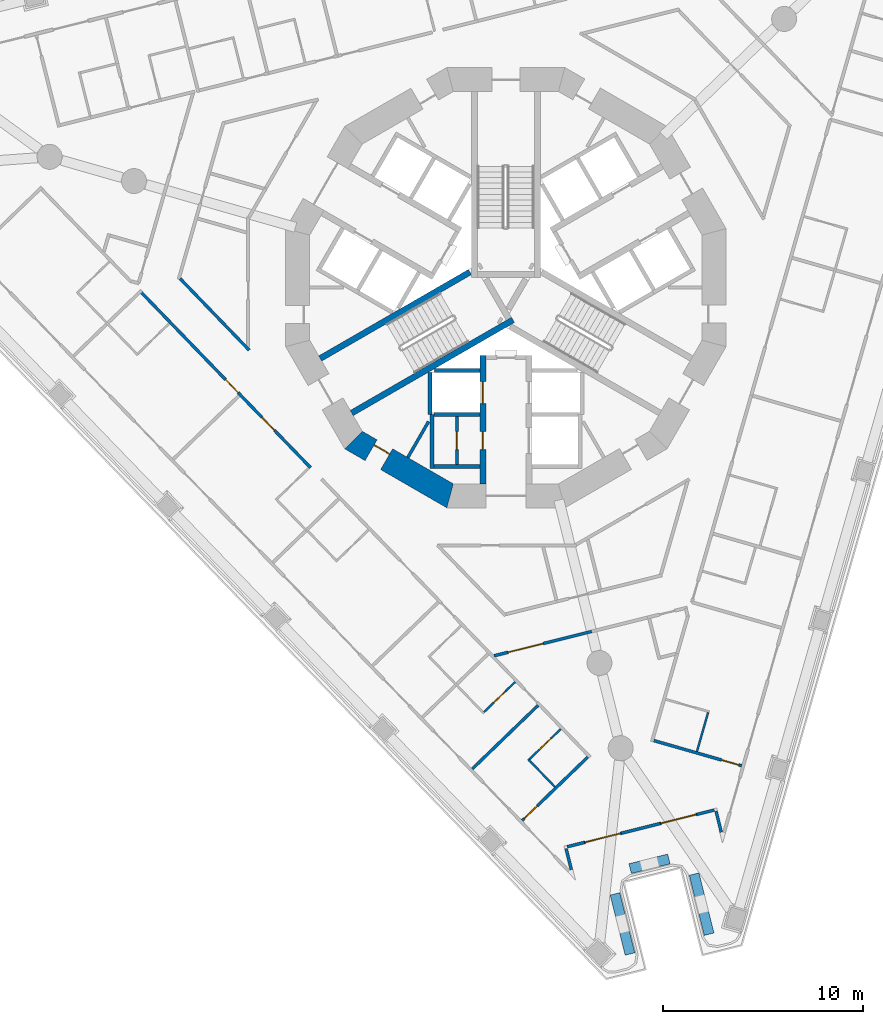
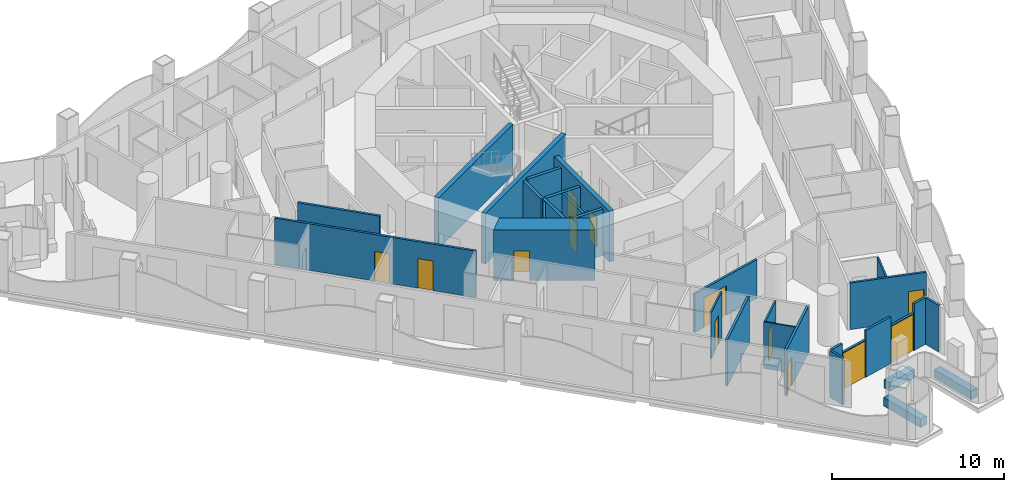
# One storey, part 3 of 18: 31 walls, 13 doors, 13 openings.
"""IFC4 building model written with IfcOpenShell, lengths in metres."""

from ifc_helpers import new_model, si_unit, direction, frame, frame_2d, origin, place, context, subcontext, project, spatial, polyline, rectangle, outline, extrude, material, layer, layer_set, type_object, element, fill, save


model = new_model("IFC4")

# Units and contexts
model_context = context("Model", 3, precision=1e-05, world=origin(), true_north=direction((0.0, 1.0)))
body_context = subcontext(model_context, "Body", "Model", "MODEL_VIEW")
ifc_project = project(units=[si_unit("LENGTHUNIT", "METRE"), si_unit("AREAUNIT", "SQUARE_METRE"), si_unit("VOLUMEUNIT", "CUBIC_METRE"), si_unit("PLANEANGLEUNIT", "RADIAN"), si_unit("MASSUNIT", "GRAM", prefix="KILO")], contexts=[model_context])

# Site, building, storey
site_placement = place(None, origin())
site = spatial("IfcSite", under=ifc_project, at=site_placement, CompositionType="ELEMENT")
building_placement = place(site_placement, origin())
building = spatial("IfcBuilding", under=site, at=building_placement, Name="Trine Commons Tower", CompositionType="ELEMENT")
storey_placement = place(building_placement, frame((0.0, 0.0, 94.5)))
storey = spatial("IfcBuildingStorey", under=building, at=storey_placement, Name="L23", CompositionType="ELEMENT", Elevation=94.5)

# Wall
ifc_material_1 = material(Name="Plasterboard partition on steel studs", Category="steel")
ifc_layer_1 = layer(ifc_material_1, 0.14990234375)
ifc_layer_set_1 = layer_set([ifc_layer_1], Name="Plasterboard partition on steel studs")
wall_type_1 = type_object("IfcWallType", Name="Core room partition 150 mm, EI 60", PredefinedType="PARTITIONING", material=ifc_layer_set_1)
wall_1_placement = place(storey_placement, frame((75.094970703125, 54.0029296875, 0.0), z_axis=(0.0, 0.0, 1.0), x_axis=(0.5000780968, 0.865980309881, 0.0)))
element("IfcWall", 1, at=wall_1_placement, inside=storey, type_object=wall_type_1, Name="Core room partition L23", PredefinedType="PARTITIONING", context=body_context, shape_type="SweptSolid", body=[
    extrude(rectangle(XDim=2.079833984375, YDim=0.14990234375, at=frame_2d((1.0400390625, 0.0))), origin(), (0.0, 0.0, 1.0), 3.300048828125),
])

# Wall, opening, door
wall_2_placement = place(storey_placement, frame((77.550048828125, 56.050048828125, 0.0), z_axis=(0.0, 0.0, 1.0), x_axis=(0.0, -1.0, 0.0)))
wall_2 = element("IfcWall", 2, at=wall_2_placement, inside=storey, type_object=wall_type_1, Name="Core room partition L23", PredefinedType="PARTITIONING", context=body_context, shape_type="SweptSolid", body=[
    extrude(rectangle(XDim=2.400146484375, YDim=0.14990234375, at=frame_2d((1.2001953125, 0.0))), origin(), (0.0, 0.0, 1.0), 3.300048828125),
])
opening_1_placement = place(wall_2_placement, frame((0.75, 0.0, 0.0)))
opening_1 = element("IfcOpeningElement", 3, at=opening_1_placement, cuts=wall_2, Name="Opening K06.11", PredefinedType="OPENING", context=body_context, shape_type="SweptSolid", body=[
    extrude(rectangle(XDim=0.89990234375, YDim=2.10009765625, at=frame_2d((0.449951171875, 1.050048828125))), frame((0.0, 0.0849609375, 0.0), z_axis=(0.0, -1.0, 0.0), x_axis=(1.0, 0.0, 0.0)), (0.0, 0.0, 1.0), 0.169921875),
])
ifc_material_2 = material(Name="Steel door leaf, fire-rated", Category="steel")
door_type_1 = type_object("IfcDoorType", Name="Core room door, single leaf 900 x 2100, FD30S", OperationType="SINGLE_SWING_LEFT", PredefinedType="DOOR", material=ifc_material_2)
door_1_placement = place(opening_1_placement, frame((0.89990234375, 0.0, 0.0), z_axis=(0.0, 0.0, 1.0), x_axis=(-1.0, 0.0, 0.0)))
door_1 = element("IfcDoor", 4, at=door_1_placement, inside=storey, type_object=door_type_1, Name="Door to Parcel store L23", OperationType="SINGLE_SWING_LEFT", OverallHeight=2.10009765625, OverallWidth=0.89990234375, PredefinedType="DOOR", context=body_context, shape_type="SweptSolid", body=[
    extrude(rectangle(XDim=0.89990234375, YDim=2.10009765625, at=frame_2d((0.449951171875, 1.050048828125))), frame((0.0, 0.02490234375, 0.0), z_axis=(0.0, -1.0, 0.0), x_axis=(1.0, 0.0, 0.0)), (0.0, 0.0, 1.0), 0.050048828125),
])
fill(opening_1, door_1)

# Walls
ifc_material_3 = material(Name="Aluminium-framed insulated wall panel", Category="aluminium")
ifc_layer_2 = layer(ifc_material_3, 0.14990234375)
ifc_layer_set_2 = layer_set([ifc_layer_2], Name="Aluminium-framed insulated wall panel")
wall_type_2 = type_object("IfcWallType", Name="Glazed frame wall 150, EI 60", PredefinedType="SOLIDWALL", material=ifc_layer_set_2)
wall_3_placement = place(storey_placement, frame((90.810302734375, 35.118896484375, 0.0), z_axis=(0.0, 0.0, 1.0), x_axis=(-0.241937701072, 0.970291785393, 0.0)))
element("IfcWall", 5, at=wall_3_placement, inside=storey, type_object=wall_type_2, Name="Glazed frame wall R9", PredefinedType="SOLIDWALL", context=body_context, shape_type="SweptSolid", body=[
    extrude(outline(polyline([(0.1494140625, 0.074951171875), (0.1494140625, -0.074951171875), (1.235107421875, -0.074951171875), (1.235107421875, 0.074951171875), (0.1494140625, 0.074951171875)])), origin(), (0.0, 0.0, 1.0), 3.300048828125),
])
wall_4_placement = place(storey_placement, frame((90.527099609375, 36.398681640625, 0.0), z_axis=(0.0, 0.0, 1.0), x_axis=(-0.970285952705, -0.24196109188, 0.0)))
element("IfcWall", 6, at=wall_4_placement, inside=storey, type_object=wall_type_2, Name="Glazed frame wall P3.1", PredefinedType="SOLIDWALL", context=body_context, shape_type="SweptSolid", body=[
    extrude(outline(polyline([(0.110107421875, -0.074951171875), (1.0, -0.074951171875), (1.0, 0.074951171875), (0.110107421875, 0.074951171875), (0.110107421875, -0.074951171875)])), origin(), (0.0, 0.0, 1.0), 3.300048828125),
])

# Wall, opening, door
wall_5_placement = place(storey_placement, frame((89.556884765625, 36.15673828125, 0.0), z_axis=(0.0, 0.0, 1.0), x_axis=(-0.970285945114, -0.241961122321, 0.0)))
wall_5 = element("IfcWall", 7, at=wall_5_placement, inside=storey, type_object=wall_type_2, Name="Glazed frame wall P3.2", PredefinedType="SOLIDWALL", context=body_context, shape_type="SweptSolid", body=[
    extrude(outline(polyline([(0.0, -0.074951171875), (1.89990234375, -0.074951171875), (1.89990234375, 0.074951171875), (0.0, 0.074951171875), (0.0, -0.074951171875)])), origin(), (0.0, 0.0, 1.0), 2.64990234375),
])
opening_2_placement = place(wall_5_placement, frame((0.050048828125, 0.0, 0.0)))
opening_2 = element("IfcOpeningElement", 8, at=opening_2_placement, cuts=wall_5, Name="Opening BD-3P3-01", PredefinedType="OPENING", context=body_context, shape_type="SweptSolid", body=[
    extrude(rectangle(XDim=1.800048828125, YDim=2.60009765625, at=frame_2d((0.89990234375, 1.300048828125))), frame((0.0, 0.0849609375, 0.0), z_axis=(0.0, -1.0, 0.0), x_axis=(1.0, 0.0, 0.0)), (0.0, 0.0, 1.0), 0.169921875),
])
ifc_material_4 = material(Name="Anodised aluminium frame with double glazing", Category="aluminium")
door_type_2 = type_object("IfcDoorType", Name="Sliding loggia door 1800x2600", OperationType="SLIDING_TO_LEFT", PredefinedType="DOOR", material=ifc_material_4)
door_2_placement = place(opening_2_placement, origin())
door_2 = element("IfcDoor", 9, at=door_2_placement, inside=storey, type_object=door_type_2, Name="Loggia door P3 1", OperationType="SLIDING_TO_LEFT", OverallHeight=2.60009765625, OverallWidth=1.800048828125, PredefinedType="DOOR", context=body_context, shape_type="SweptSolid", body=[
    extrude(rectangle(XDim=1.800048828125, YDim=2.60009765625, at=frame_2d((0.89990234375, 1.300048828125))), frame((0.0, 0.02490234375, 0.0), z_axis=(0.0, -1.0, 0.0), x_axis=(1.0, 0.0, 0.0)), (0.0, 0.0, 1.0), 0.050048828125),
])
fill(opening_2, door_2)

# Wall
wall_6_placement = place(storey_placement, frame((87.71337890625, 35.697021484375, 0.0), z_axis=(0.0, 0.0, 1.0), x_axis=(-0.970293098586, -0.241932434444, 0.0)))
element("IfcWall", 10, at=wall_6_placement, inside=storey, type_object=wall_type_2, Name="Glazed frame wall P3.3", PredefinedType="SOLIDWALL", context=body_context, shape_type="SweptSolid", body=[
    extrude(outline(polyline([(0.0, -0.074951171875), (2.0, -0.074951171875), (2.0, 0.074951171875), (0.0, 0.074951171875), (0.0, -0.074951171875)])), origin(), (0.0, 0.0, 1.0), 3.300048828125),
])

# Wall, opening, door
wall_7_placement = place(storey_placement, frame((85.772705078125, 35.213134765625, 0.0), z_axis=(0.0, 0.0, 1.0), x_axis=(-0.970285945114, -0.241961122321, 0.0)))
wall_7 = element("IfcWall", 11, at=wall_7_placement, inside=storey, type_object=wall_type_2, Name="Glazed frame wall P3.4", PredefinedType="SOLIDWALL", context=body_context, shape_type="SweptSolid", body=[
    extrude(outline(polyline([(0.0, -0.074951171875), (1.89990234375, -0.074951171875), (1.89990234375, 0.074951171875), (0.0, 0.074951171875), (0.0, -0.074951171875)])), origin(), (0.0, 0.0, 1.0), 2.64990234375),
])
opening_3_placement = place(wall_7_placement, frame((0.050048828125, 0.0, 0.0)))
opening_3 = element("IfcOpeningElement", 12, at=opening_3_placement, cuts=wall_7, Name="Opening BD-3P3-02", PredefinedType="OPENING", context=body_context, shape_type="SweptSolid", body=[
    extrude(rectangle(XDim=1.800048828125, YDim=2.60009765625, at=frame_2d((0.89990234375, 1.300048828125))), frame((0.0, 0.0849609375, 0.0), z_axis=(0.0, -1.0, 0.0), x_axis=(1.0, 0.0, 0.0)), (0.0, 0.0, 1.0), 0.169921875),
])
door_3_placement = place(opening_3_placement, origin())
door_3 = element("IfcDoor", 13, at=door_3_placement, inside=storey, type_object=door_type_2, Name="Loggia door P3 2", OperationType="SLIDING_TO_LEFT", OverallHeight=2.60009765625, OverallWidth=1.800048828125, PredefinedType="DOOR", context=body_context, shape_type="SweptSolid", body=[
    extrude(rectangle(XDim=1.800048828125, YDim=2.60009765625, at=frame_2d((0.89990234375, 1.300048828125))), frame((0.0, 0.02490234375, 0.0), z_axis=(0.0, -1.0, 0.0), x_axis=(1.0, 0.0, 0.0)), (0.0, 0.0, 1.0), 0.050048828125),
])
fill(opening_3, door_3)

# Walls
wall_8_placement = place(storey_placement, frame((83.92919921875, 34.75341796875, 0.0), z_axis=(0.0, 0.0, 1.0), x_axis=(-0.970343250308, -0.241731207299, 0.0)))
element("IfcWall", 14, at=wall_8_placement, inside=storey, type_object=wall_type_2, Name="Glazed frame wall P3.5", PredefinedType="SOLIDWALL", context=body_context, shape_type="SweptSolid", body=[
    extrude(outline(polyline([(0.889892578125, 0.074951171875), (0.0, 0.074951171875), (0.0, -0.074951171875), (0.889892578125, -0.074951171875), (0.889892578125, 0.074951171875)])), origin(), (0.0, 0.0, 1.0), 3.300048828125),
])
wall_9_placement = place(storey_placement, frame((82.984375, 34.553955078125, 0.0), z_axis=(0.0, 0.0, 1.0), x_axis=(0.241980315181, -0.970281158771, 0.0)))
element("IfcWall", 15, at=wall_9_placement, inside=storey, type_object=wall_type_2, Name="Glazed frame wall R11", PredefinedType="SOLIDWALL", context=body_context, shape_type="SweptSolid", body=[
    extrude(outline(polyline([(0.110107421875, 0.074951171875), (0.110107421875, -0.074951171875), (1.19580078125, -0.074951171875), (1.19580078125, 0.074951171875), (0.110107421875, 0.074951171875)])), origin(), (0.0, 0.0, 1.0), 3.300048828125),
])
ifc_material_5 = material(Name="Planter trough, precast concrete C40/50", Category="concrete")
ifc_layer_3 = layer(ifc_material_5, 0.5)
ifc_layer_set_3 = layer_set([ifc_layer_3], Name="Planter trough, precast concrete C40/50")
wall_type_3 = type_object("IfcWallType", Name="Planter trough 500x600", PredefinedType="PARAPET", material=ifc_layer_set_3)
wall_10_placement = place(storey_placement, frame((90.16552734375, 30.160888671875, 0.0), z_axis=(0.0, 0.0, 1.0), x_axis=(-0.2419425832, 0.970290568044, 0.0)))
element("IfcWall", 16, at=wall_10_placement, inside=storey, type_object=wall_type_3, Name="Planter 7", PredefinedType="PARAPET", context=body_context, shape_type="SweptSolid", body=[
    extrude(rectangle(XDim=3.099853515625, YDim=0.5, at=frame_2d((1.5498046875, 0.0))), origin(), (0.0, 0.0, 1.0), 0.60009765625),
])
wall_11_placement = place(storey_placement, frame((88.15478515625, 33.92626953125, 0.0), z_axis=(0.0, 0.0, 1.0), x_axis=(-0.970285952705, -0.24196109188, 0.0)))
element("IfcWall", 17, at=wall_11_placement, inside=storey, type_object=wall_type_3, Name="Planter 8", PredefinedType="PARAPET", context=body_context, shape_type="SweptSolid", body=[
    extrude(rectangle(XDim=1.999755859375, YDim=0.5, at=frame_2d((1.0, 0.0))), origin(), (0.0, 0.0, 1.0), 0.60009765625),
])
wall_12_placement = place(storey_placement, frame((85.456787109375, 32.181640625, 0.0), z_axis=(0.0, 0.0, 1.0), x_axis=(0.2419425832, -0.970290568044, 0.0)))
element("IfcWall", 18, at=wall_12_placement, inside=storey, type_object=wall_type_3, Name="Planter 9", PredefinedType="PARAPET", context=body_context, shape_type="SweptSolid", body=[
    extrude(rectangle(XDim=3.099853515625, YDim=0.5, at=frame_2d((1.5498046875, 0.0))), origin(), (0.0, 0.0, 1.0), 0.60009765625),
])

# Wall, opening, door
ifc_material_6 = material(Name="Concrete C70/85", Category="concrete")
ifc_layer_4 = layer(ifc_material_6, 1.199951171875)
ifc_layer_set_4 = layer_set([ifc_layer_4], Name="Concrete C70/85")
wall_type_4 = type_object("IfcWallType", Name="RC shear wall 1200 mm, C70/85", PredefinedType="SHEAR", material=ifc_layer_set_4)
wall_13_placement = place(storey_placement, frame((72.239013671875, 54.95849609375, 0.0), z_axis=(0.0, 0.0, 1.0), x_axis=(0.866037463336, -0.499979111662, 0.0)))
wall_13 = element("IfcWall", 19, at=wall_13_placement, inside=storey, type_object=wall_type_4, Name="Core wall CWC-09 L23", PredefinedType="SHEAR", context=body_context, shape_type="SweptSolid", body=[
    extrude(outline(polyline([(0.0, -0.60009765625), (5.901123046875, -0.60009765625), (5.57958984375, 0.60009765625), (0.321533203125, 0.60009765625), (0.0, -0.60009765625)])), origin(), (0.0, 0.0, 1.0), 3.60009765625),
])
opening_4_placement = place(wall_13_placement, frame((1.176513671875, 0.0, 0.0)))
opening_4 = element("IfcOpeningElement", 20, at=opening_4_placement, cuts=wall_13, Name="Opening K06.15", PredefinedType="OPENING", context=body_context, shape_type="SweptSolid", body=[
    extrude(rectangle(XDim=0.89990234375, YDim=2.10009765625, at=frame_2d((0.449951171875, 1.050048828125))), frame((0.0, 0.60986328125, 0.0), z_axis=(0.0, -1.0, 0.0), x_axis=(1.0, 0.0, 0.0)), (0.0, 0.0, 1.0), 1.219970703125),
])
door_4_placement = place(opening_4_placement, origin())
door_4 = element("IfcDoor", 21, at=door_4_placement, inside=storey, type_object=door_type_1, Name="Door to Print room L23", OperationType="SINGLE_SWING_LEFT", OverallHeight=2.10009765625, OverallWidth=0.89990234375, PredefinedType="DOOR", context=body_context, shape_type="SweptSolid", body=[
    extrude(rectangle(XDim=0.89990234375, YDim=2.10009765625, at=frame_2d((0.449951171875, 1.050048828125))), frame((0.0, 0.3251953125, 0.0), z_axis=(0.0, -1.0, 0.0), x_axis=(1.0, 0.0, 0.0)), (0.0, 0.0, 1.0), 0.050048828125),
])
fill(opening_4, door_4)

# Wall, openings, doors
ifc_layer_5 = layer(ifc_material_6, 0.300048828125)
ifc_layer_set_5 = layer_set([ifc_layer_5], Name="Concrete C70/85")
wall_type_5 = type_object("IfcWallType", Name="RC shear wall 300 mm, C70/85", PredefinedType="SHEAR", material=ifc_layer_set_5)
wall_14_placement = place(storey_placement, frame((78.85009765625, 59.10009765625, 0.0), z_axis=(0.0, 0.0, 1.0), x_axis=(0.0, -1.0, 0.0)))
wall_14 = element("IfcWall", 22, at=wall_14_placement, inside=storey, type_object=wall_type_5, Name="Core cross wall SWA-03 L23", PredefinedType="SHEAR", context=body_context, shape_type="SweptSolid", body=[
    extrude(rectangle(XDim=6.412109375, YDim=0.300048828125, at=frame_2d((3.2060546875, 0.0))), origin(), (0.0, 0.0, 1.0), 3.60009765625),
])
opening_5_placement = place(wall_14_placement, frame((3.800048828125, 0.0, 0.0)))
opening_5 = element("IfcOpeningElement", 23, at=opening_5_placement, cuts=wall_14, Name="Opening K06.10", PredefinedType="OPENING", context=body_context, shape_type="SweptSolid", body=[
    extrude(rectangle(XDim=0.89990234375, YDim=2.10009765625, at=frame_2d((0.449951171875, 1.050048828125))), frame((0.0, 0.159912109375, 0.0), z_axis=(0.0, -1.0, 0.0), x_axis=(1.0, 0.0, 0.0)), (0.0, 0.0, 1.0), 0.320068359375),
])
opening_6_placement = place(wall_14_placement, frame((1.300048828125, 0.0, 0.0)))
opening_6 = element("IfcOpeningElement", 24, at=opening_6_placement, cuts=wall_14, Name="Opening LD10", PredefinedType="OPENING", context=body_context, shape_type="SweptSolid", body=[
    extrude(rectangle(XDim=1.10009765625, YDim=2.10009765625, at=frame_2d((0.550048828125, 1.050048828125))), frame((0.0, 0.159912109375, 0.0), z_axis=(0.0, -1.0, 0.0), x_axis=(1.0, 0.0, 0.0)), (0.0, 0.0, 1.0), 0.320068359375),
])
door_5_placement = place(opening_5_placement, frame((0.89990234375, 0.0, 0.0), z_axis=(0.0, 0.0, 1.0), x_axis=(-1.0, 0.0, 0.0)))
door_5 = element("IfcDoor", 25, at=door_5_placement, inside=storey, type_object=door_type_1, Name="Door to Comms room L23", OperationType="SINGLE_SWING_RIGHT", OverallHeight=2.10009765625, OverallWidth=0.89990234375, PredefinedType="DOOR", context=body_context, shape_type="SweptSolid", body=[
    extrude(rectangle(XDim=0.89990234375, YDim=2.10009765625, at=frame_2d((0.449951171875, 1.050048828125))), frame((0.0, 0.02490234375, 0.0), z_axis=(0.0, -1.0, 0.0), x_axis=(1.0, 0.0, 0.0)), (0.0, 0.0, 1.0), 0.050048828125),
])
fill(opening_5, door_5)
ifc_material_7 = material(Name="Stainless steel sliding door leaves", Category="steel")
door_type_3 = type_object("IfcDoorType", Name="Lift landing door, centre-opening sliding 1100 x 2100, FD90", OperationType="DOUBLE_DOOR_SLIDING", PredefinedType="DOOR", material=ifc_material_7)
door_6_placement = place(opening_6_placement, origin())
door_6 = element("IfcDoor", 26, at=door_6_placement, inside=storey, type_object=door_type_3, Name="Lift landing door FF2 L23", OperationType="DOUBLE_DOOR_SLIDING", OverallHeight=2.10009765625, OverallWidth=1.10009765625, PredefinedType="DOOR", context=body_context, shape_type="SweptSolid", body=[
    extrude(rectangle(XDim=1.10009765625, YDim=2.10009765625, at=frame_2d((0.550048828125, 1.050048828125))), frame((0.0, 0.02490234375, 0.0), z_axis=(0.0, -1.0, 0.0), x_axis=(1.0, 0.0, 0.0)), (0.0, 0.0, 1.0), 0.050048828125),
])
fill(opening_6, door_6)

# Walls
wall_15_placement = place(storey_placement, frame((78.199951171875, 63.280029296875, 0.0), z_axis=(0.0, 0.0, 1.0), x_axis=(-0.865965399159, -0.500103916661, 0.0)))
element("IfcWall", 27, at=wall_15_placement, inside=storey, type_object=wall_type_5, Name="Core cross wall SWA-07 L23", PredefinedType="SHEAR", context=body_context, shape_type="SweptSolid", body=[
    extrude(rectangle(XDim=8.642333984375, YDim=0.300048828125, at=frame_2d((4.3212890625, 0.0))), origin(), (0.0, 0.0, 1.0), 3.60009765625),
])
wall_16_placement = place(storey_placement, frame((80.35400390625, 60.885986328125, 0.0), z_axis=(0.0, 0.0, 1.0), x_axis=(-0.865986456211, -0.50006745311, 0.0)))
element("IfcWall", 28, at=wall_16_placement, inside=storey, type_object=wall_type_5, Name="Core cross wall SWA-14 L23", PredefinedType="SHEAR", context=body_context, shape_type="SweptSolid", body=[
    extrude(rectangle(XDim=9.310791015625, YDim=0.300048828125, at=frame_2d((4.6552734375, 0.0))), origin(), (0.0, 0.0, 1.0), 3.60009765625),
])
ifc_material_8 = material(Name="Fire-rated gypsum shaft wall system")
ifc_layer_6 = layer(ifc_material_8, 0.199951171875)
ifc_layer_set_6 = layer_set([ifc_layer_6], Name="Fire-rated gypsum shaft wall system")
wall_type_6 = type_object("IfcWallType", Name="Shaft wall 200 mm, EI 120", PredefinedType="PARTITIONING", material=ifc_layer_set_6)
wall_17_placement = place(storey_placement, frame((76.199951171875, 58.256103515625, 0.0), z_axis=(0.0, 0.0, 1.0), x_axis=(0.0, -1.0, 0.0)))
element("IfcWall", 29, at=wall_17_placement, inside=storey, type_object=wall_type_6, Name="Shaft wall L23", PredefinedType="PARTITIONING", context=body_context, shape_type="SweptSolid", body=[
    extrude(rectangle(XDim=2.106201171875, YDim=0.199951171875, at=frame_2d((1.05322265625, 0.0))), origin(), (0.0, 0.0, 1.0), 3.300048828125),
])
wall_18_placement = place(storey_placement, frame((76.300048828125, 56.14990234375, 0.0), z_axis=(0.0, 0.0, 1.0), x_axis=(0.0, -1.0, 0.0)))
element("IfcWall", 30, at=wall_18_placement, inside=storey, type_object=wall_type_6, Name="Shaft wall L23", PredefinedType="PARTITIONING", context=body_context, shape_type="SweptSolid", body=[
    extrude(rectangle(XDim=2.699951171875, YDim=0.199951171875, at=frame_2d((1.35009765625, 0.0))), origin(), (0.0, 0.0, 1.0), 3.300048828125),
])
for number, where, z_axis, x_axis, name in (
    (31, (78.699951171875, 53.550048828125, 0.0), (0.0, 0.0, 1.0), (-1.0, 0.0, 0.0), "Shaft wall L23"),
    (32, (78.699951171875, 56.14990234375, 0.0), (0.0, 0.0, 1.0), (-1.0, 0.0, 0.0), "Shaft wall L23"),
):
    element("IfcWall", number, at=place(storey_placement, frame(where, z_axis=z_axis, x_axis=x_axis)), inside=storey, type_object=wall_type_6, Name=name, PredefinedType="PARTITIONING", context=body_context, shape_type="SweptSolid", body=[
        extrude(rectangle(XDim=2.300048828125, YDim=0.199951171875, at=frame_2d((1.14990234375, 0.0))), origin(), (0.0, 0.0, 1.0), 3.300048828125),
    ])
wall_19_placement = place(storey_placement, frame((78.699951171875, 58.35009765625, 0.0), z_axis=(0.0, 0.0, 1.0), x_axis=(-1.0, 0.0, 0.0)))
element("IfcWall", 33, at=wall_19_placement, inside=storey, type_object=wall_type_6, Name="Shaft wall L23", PredefinedType="PARTITIONING", context=body_context, shape_type="SweptSolid", body=[
    extrude(rectangle(XDim=2.264892578125, YDim=0.199951171875, at=frame_2d((1.13232421875, 0.0))), origin(), (0.0, 0.0, 1.0), 3.300048828125),
])

# Wall, openings, doors
ifc_material_9 = material(Name="Gypsum plasterboard on steel stud", Category="steel")
ifc_layer_7 = layer(ifc_material_9, 0.14990234375)
ifc_layer_set_7 = layer_set([ifc_layer_7], Name="Gypsum plasterboard on steel stud")
wall_type_7 = type_object("IfcWallType", Name="Unit and corridor wall 150 mm, EI 60", PredefinedType="PARTITIONING", material=ifc_layer_set_7)
wall_20_placement = place(storey_placement, frame((61.772216796875, 62.257080078125, 0.0), z_axis=(0.0, 0.0, 1.0), x_axis=(0.694667095858, -0.719331374217, 0.0)))
wall_20 = element("IfcWall", 34, at=wall_20_placement, inside=storey, type_object=wall_type_7, Name="Partition 019", PredefinedType="PARTITIONING", context=body_context, shape_type="SweptSolid", body=[
    extrude(rectangle(XDim=12.18505859375, YDim=0.14990234375, at=frame_2d((6.092529296875, 0.0))), origin(), (0.0, 0.0, 1.0), 3.300048828125),
])
opening_7_placement = place(wall_20_placement, frame((8.67138671875, 0.0, 0.0)))
opening_7 = element("IfcOpeningElement", 35, at=opening_7_placement, cuts=wall_20, Name="Opening D-3A26", PredefinedType="OPENING", context=body_context, shape_type="SweptSolid", body=[
    extrude(rectangle(XDim=0.89990234375, YDim=2.10009765625, at=frame_2d((0.449951171875, 1.050048828125))), frame((0.0, 0.0849609375, 0.0), z_axis=(0.0, -1.0, 0.0), x_axis=(1.0, 0.0, 0.0)), (0.0, 0.0, 1.0), 0.169921875),
])
opening_8_placement = place(wall_20_placement, frame((6.0546875, 0.0, 0.0)))
opening_8 = element("IfcOpeningElement", 36, at=opening_8_placement, cuts=wall_20, Name="Opening D-3A27", PredefinedType="OPENING", context=body_context, shape_type="SweptSolid", body=[
    extrude(rectangle(XDim=0.89990234375, YDim=2.10009765625, at=frame_2d((0.449951171875, 1.050048828125))), frame((0.0, 0.0849609375, 0.0), z_axis=(0.0, -1.0, 0.0), x_axis=(1.0, 0.0, 0.0)), (0.0, 0.0, 1.0), 0.169921875),
])
ifc_material_10 = material(Name="Timber fire door set", Category="wood")
door_type_4 = type_object("IfcDoorType", Name="Bedroom door 900 x 2100, FD30S", OperationType="NOTDEFINED", PredefinedType="DOOR", material=ifc_material_10)
door_7_placement = place(opening_7_placement, frame((0.89990234375, 0.0, 0.0), z_axis=(0.0, 0.0, 1.0), x_axis=(-1.0, 0.0, 0.0)))
door_7 = element("IfcDoor", 37, at=door_7_placement, inside=storey, type_object=door_type_4, Name="Door D-3A26", OperationType="SINGLE_SWING_LEFT", OverallHeight=2.10009765625, OverallWidth=0.89990234375, PredefinedType="DOOR", context=body_context, shape_type="SweptSolid", body=[
    extrude(rectangle(XDim=0.89990234375, YDim=2.10009765625, at=frame_2d((0.449951171875, 1.050048828125))), frame((0.0, 0.02490234375, 0.0), z_axis=(0.0, -1.0, 0.0), x_axis=(1.0, 0.0, 0.0)), (0.0, 0.0, 1.0), 0.050048828125),
])
fill(opening_7, door_7)
door_8_placement = place(opening_8_placement, frame((0.89990234375, 0.0, 0.0), z_axis=(0.0, 0.0, 1.0), x_axis=(-1.0, 0.0, 0.0)))
door_8 = element("IfcDoor", 38, at=door_8_placement, inside=storey, type_object=door_type_4, Name="Door D-3A27", OperationType="SINGLE_SWING_LEFT", OverallHeight=2.10009765625, OverallWidth=0.89990234375, PredefinedType="DOOR", context=body_context, shape_type="SweptSolid", body=[
    extrude(rectangle(XDim=0.89990234375, YDim=2.10009765625, at=frame_2d((0.449951171875, 1.050048828125))), frame((0.0, 0.02490234375, 0.0), z_axis=(0.0, -1.0, 0.0), x_axis=(1.0, 0.0, 0.0)), (0.0, 0.0, 1.0), 0.050048828125),
])
fill(opening_8, door_8)

# Walls
wall_21_placement = place(storey_placement, frame((63.710205078125, 62.948974609375, 0.0), z_axis=(0.0, 0.0, 1.0), x_axis=(0.694628677397, -0.719368473411, 0.0)))
element("IfcWall", 39, at=wall_21_placement, inside=storey, type_object=wall_type_7, Name="Partition 026", PredefinedType="PARTITIONING", context=body_context, shape_type="SweptSolid", body=[
    extrude(rectangle(XDim=4.9736328125, YDim=0.14990234375, at=frame_2d((2.48681640625, 0.0))), origin(), (0.0, 0.0, 1.0), 3.300048828125),
])
wall_22_placement = place(storey_placement, frame((78.31982421875, 38.430908203125, 0.0), z_axis=(0.0, 0.0, 1.0), x_axis=(0.719360056376, 0.694637394106, 0.0)))
element("IfcWall", 40, at=wall_22_placement, inside=storey, type_object=wall_type_7, Name="Partition 062", PredefinedType="PARTITIONING", context=body_context, shape_type="SweptSolid", body=[
    extrude(rectangle(XDim=4.572265625, YDim=0.14990234375, at=frame_2d((2.2861328125, 0.0))), origin(), (0.0, 0.0, 1.0), 3.300048828125),
])

# Wall, opening, door
wall_23_placement = place(storey_placement, frame((79.40869140625, 44.087158203125, 0.0), z_axis=(0.0, 0.0, 1.0), x_axis=(0.970285120957, 0.241964427241, 0.0)))
wall_23 = element("IfcWall", 41, at=wall_23_placement, inside=storey, type_object=wall_type_7, Name="Partition 065", PredefinedType="PARTITIONING", context=body_context, shape_type="SweptSolid", body=[
    extrude(rectangle(XDim=5.02880859375, YDim=0.14990234375, at=frame_2d((2.514404296875, 0.0))), origin(), (0.0, 0.0, 1.0), 2.75),
])
opening_9_placement = place(wall_23_placement, frame((0.735595703125, 0.0, 0.0)))
opening_9 = element("IfcOpeningElement", 42, at=opening_9_placement, cuts=wall_23, Name="Opening D-3A02", PredefinedType="OPENING", context=body_context, shape_type="SweptSolid", body=[
    extrude(rectangle(XDim=1.800048828125, YDim=2.10009765625, at=frame_2d((0.89990234375, 1.050048828125))), frame((0.0, 0.0849609375, 0.0), z_axis=(0.0, -1.0, 0.0), x_axis=(1.0, 0.0, 0.0)), (0.0, 0.0, 1.0), 0.169921875),
])
door_type_5 = type_object("IfcDoorType", Name="Cluster entrance door 1800 x 2100, double leaf, FD30S", OperationType="DOUBLE_DOOR_DOUBLE_SWING", PredefinedType="DOOR", material=ifc_material_10)
door_9_placement = place(opening_9_placement, frame((1.800048828125, 0.0, 0.0), z_axis=(0.0, 0.0, 1.0), x_axis=(-1.0, 0.0, 0.0)))
door_9 = element("IfcDoor", 43, at=door_9_placement, inside=storey, type_object=door_type_5, Name="Door D-3A02", OperationType="DOUBLE_DOOR_DOUBLE_SWING", OverallHeight=2.10009765625, OverallWidth=1.800048828125, PredefinedType="DOOR", context=body_context, shape_type="SweptSolid", body=[
    extrude(rectangle(XDim=1.800048828125, YDim=2.10009765625, at=frame_2d((0.89990234375, 1.050048828125))), frame((0.0, 0.02490234375, 0.0), z_axis=(0.0, -1.0, 0.0), x_axis=(1.0, 0.0, 0.0)), (0.0, 0.0, 1.0), 0.050048828125),
])
fill(opening_9, door_9)

wall_24_placement = place(storey_placement, frame((80.811767578125, 35.849853515625, 0.0), z_axis=(0.0, 0.0, 1.0), x_axis=(0.719385819916, 0.694610712632, 0.0)))
wall_24 = element("IfcWall", 44, at=wall_24_placement, inside=storey, type_object=wall_type_7, Name="Partition 067", PredefinedType="PARTITIONING", context=body_context, shape_type="SweptSolid", body=[
    extrude(rectangle(XDim=4.572265625, YDim=0.14990234375, at=frame_2d((2.2861328125, 0.0))), origin(), (0.0, 0.0, 1.0), 3.300048828125),
])
opening_10_placement = place(wall_24_placement, frame((0.14990234375, 0.0, 0.0)))
opening_10 = element("IfcOpeningElement", 45, at=opening_10_placement, cuts=wall_24, Name="Opening D-3A22", PredefinedType="OPENING", context=body_context, shape_type="SweptSolid", body=[
    extrude(rectangle(XDim=0.89990234375, YDim=2.10009765625, at=frame_2d((0.449951171875, 1.050048828125))), frame((0.0, 0.0849609375, 0.0), z_axis=(0.0, -1.0, 0.0), x_axis=(1.0, 0.0, 0.0)), (0.0, 0.0, 1.0), 0.169921875),
])
door_10_placement = place(opening_10_placement, origin())
door_10 = element("IfcDoor", 46, at=door_10_placement, inside=storey, type_object=door_type_4, Name="Door D-3A22", OperationType="SINGLE_SWING_LEFT", OverallHeight=2.10009765625, OverallWidth=0.89990234375, PredefinedType="DOOR", context=body_context, shape_type="SweptSolid", body=[
    extrude(rectangle(XDim=0.89990234375, YDim=2.10009765625, at=frame_2d((0.449951171875, 1.050048828125))), frame((0.0, 0.02490234375, 0.0), z_axis=(0.0, -1.0, 0.0), x_axis=(1.0, 0.0, 0.0)), (0.0, 0.0, 1.0), 0.050048828125),
])
fill(opening_10, door_10)

wall_25_placement = place(storey_placement, frame((87.399169921875, 39.847412109375, 0.0), z_axis=(0.0, 0.0, 1.0), x_axis=(0.961251469363, -0.275673017626, 0.0)))
wall_25 = element("IfcWall", 47, at=wall_25_placement, inside=storey, type_object=wall_type_7, Name="Partition 086", PredefinedType="PARTITIONING", context=body_context, shape_type="SweptSolid", body=[
    extrude(rectangle(XDim=4.572509765625, YDim=0.14990234375, at=frame_2d((2.2861328125, 0.0))), origin(), (0.0, 0.0, 1.0), 3.300048828125),
])
opening_11_placement = place(wall_25_placement, frame((3.522705078125, 0.0, 0.0)))
opening_11 = element("IfcOpeningElement", 48, at=opening_11_placement, cuts=wall_25, Name="Opening D-3A21", PredefinedType="OPENING", context=body_context, shape_type="SweptSolid", body=[
    extrude(rectangle(XDim=0.89990234375, YDim=2.10009765625, at=frame_2d((0.449951171875, 1.050048828125))), frame((0.0, 0.0849609375, 0.0), z_axis=(0.0, -1.0, 0.0), x_axis=(1.0, 0.0, 0.0)), (0.0, 0.0, 1.0), 0.169921875),
])
door_11_placement = place(opening_11_placement, origin())
door_11 = element("IfcDoor", 49, at=door_11_placement, inside=storey, type_object=door_type_4, Name="Door D-3A21", OperationType="SINGLE_SWING_RIGHT", OverallHeight=2.10009765625, OverallWidth=0.89990234375, PredefinedType="DOOR", context=body_context, shape_type="SweptSolid", body=[
    extrude(rectangle(XDim=0.89990234375, YDim=2.10009765625, at=frame_2d((0.449951171875, 1.050048828125))), frame((0.0, 0.02490234375, 0.0), z_axis=(0.0, -1.0, 0.0), x_axis=(1.0, 0.0, 0.0)), (0.0, 0.0, 1.0), 0.050048828125),
])
fill(opening_11, door_11)

ifc_layer_8 = layer(ifc_material_9, 0.10009765625)
ifc_layer_set_8 = layer_set([ifc_layer_8], Name="Gypsum plasterboard on steel stud")
wall_type_8 = type_object("IfcWallType", Name="Unit partition 100 mm, no rating", PredefinedType="PARTITIONING", material=ifc_layer_set_8)
wall_26_placement = place(storey_placement, frame((78.906005859375, 41.274658203125, 0.0), z_axis=(0.0, 0.0, 1.0), x_axis=(0.719343447932, 0.694654593245, 0.0)))
wall_26 = element("IfcWall", 50, at=wall_26_placement, inside=storey, type_object=wall_type_8, Name="Partition 064", PredefinedType="PARTITIONING", context=body_context, shape_type="SweptSolid", body=[
    extrude(rectangle(XDim=2.175537109375, YDim=0.10009765625, at=frame_2d((1.087890625, 0.0))), origin(), (0.0, 0.0, 1.0), 3.300048828125),
])
opening_12_placement = place(wall_26_placement, frame((0.687744140625, 0.0, 0.0)))
opening_12 = element("IfcOpeningElement", 51, at=opening_12_placement, cuts=wall_26, Name="Opening D-3A52", PredefinedType="OPENING", context=body_context, shape_type="SweptSolid", body=[
    extrude(rectangle(XDim=0.800048828125, YDim=2.10009765625, at=frame_2d((0.39990234375, 1.050048828125))), frame((0.0, 0.06005859375, 0.0), z_axis=(0.0, -1.0, 0.0), x_axis=(1.0, 0.0, 0.0)), (0.0, 0.0, 1.0), 0.1201171875),
])
ifc_material_11 = material(Name="Painted timber", Category="wood")
door_type_6 = type_object("IfcDoorType", Name="Internal door 800 x 2100, NOT RATED", OperationType="NOTDEFINED", PredefinedType="DOOR", material=ifc_material_11)
door_12_placement = place(opening_12_placement, frame((0.800048828125, 0.0, 0.0), z_axis=(0.0, 0.0, 1.0), x_axis=(-1.0, 0.0, 0.0)))
door_12 = element("IfcDoor", 52, at=door_12_placement, inside=storey, type_object=door_type_6, Name="Door D-3A52", OperationType="SINGLE_SWING_RIGHT", OverallHeight=2.10009765625, OverallWidth=0.800048828125, PredefinedType="DOOR", context=body_context, shape_type="SweptSolid", body=[
    extrude(rectangle(XDim=0.800048828125, YDim=2.10009765625, at=frame_2d((0.39990234375, 1.050048828125))), frame((0.0, 0.02490234375, 0.0), z_axis=(0.0, -1.0, 0.0), x_axis=(1.0, 0.0, 0.0)), (0.0, 0.0, 1.0), 0.050048828125),
])
fill(opening_12, door_12)

# Wall
wall_27_placement = place(storey_placement, frame((81.111328125, 38.9189453125, 0.0), z_axis=(0.0, 0.0, 1.0), x_axis=(0.694700856484, -0.719298769636, 0.0)))
element("IfcWall", 53, at=wall_27_placement, inside=storey, type_object=wall_type_8, Name="Partition 069", PredefinedType="PARTITIONING", context=body_context, shape_type="SweptSolid", body=[
    extrude(rectangle(XDim=1.925537109375, YDim=0.10009765625, at=frame_2d((0.962890625, 0.0))), origin(), (0.0, 0.0, 1.0), 3.300048828125),
])

# Wall, opening, door
wall_28_placement = place(storey_placement, frame((81.181884765625, 38.917724609375, 0.0), z_axis=(0.0, 0.0, 1.0), x_axis=(0.719397593573, 0.69459851883, 0.0)))
wall_28 = element("IfcWall", 54, at=wall_28_placement, inside=storey, type_object=wall_type_8, Name="Partition 070", PredefinedType="PARTITIONING", context=body_context, shape_type="SweptSolid", body=[
    extrude(rectangle(XDim=2.17578125, YDim=0.10009765625, at=frame_2d((1.087890625, 0.0))), origin(), (0.0, 0.0, 1.0), 3.300048828125),
])
opening_13_placement = place(wall_28_placement, frame((0.687744140625, 0.0, 0.0)))
opening_13 = element("IfcOpeningElement", 55, at=opening_13_placement, cuts=wall_28, Name="Opening D-3A51", PredefinedType="OPENING", context=body_context, shape_type="SweptSolid", body=[
    extrude(rectangle(XDim=0.800048828125, YDim=2.10009765625, at=frame_2d((0.39990234375, 1.050048828125))), frame((0.0, 0.06005859375, 0.0), z_axis=(0.0, -1.0, 0.0), x_axis=(1.0, 0.0, 0.0)), (0.0, 0.0, 1.0), 0.1201171875),
])
door_13_placement = place(opening_13_placement, origin())
door_13 = element("IfcDoor", 56, at=door_13_placement, inside=storey, type_object=door_type_6, Name="Door D-3A51", OperationType="SINGLE_SWING_LEFT", OverallHeight=2.10009765625, OverallWidth=0.800048828125, PredefinedType="DOOR", context=body_context, shape_type="SweptSolid", body=[
    extrude(rectangle(XDim=0.800048828125, YDim=2.10009765625, at=frame_2d((0.39990234375, 1.050048828125))), frame((0.0, 0.02490234375, 0.0), z_axis=(0.0, -1.0, 0.0), x_axis=(1.0, 0.0, 0.0)), (0.0, 0.0, 1.0), 0.050048828125),
])
fill(opening_13, door_13)

# Wall
wall_29_placement = place(storey_placement, frame((89.55859375, 39.30615234375, 0.0), z_axis=(0.0, 0.0, 1.0), x_axis=(0.275357985943, 0.96134176003, 0.0)))
element("IfcWall", 57, at=wall_29_placement, inside=storey, type_object=wall_type_8, Name="Partition 101", PredefinedType="PARTITIONING", context=body_context, shape_type="SweptSolid", body=[
    extrude(rectangle(XDim=2.025146484375, YDim=0.10009765625, at=frame_2d((1.0126953125, 0.0))), origin(), (0.0, 0.0, 1.0), 3.300048828125),
])

save(model, "model.ifc")
